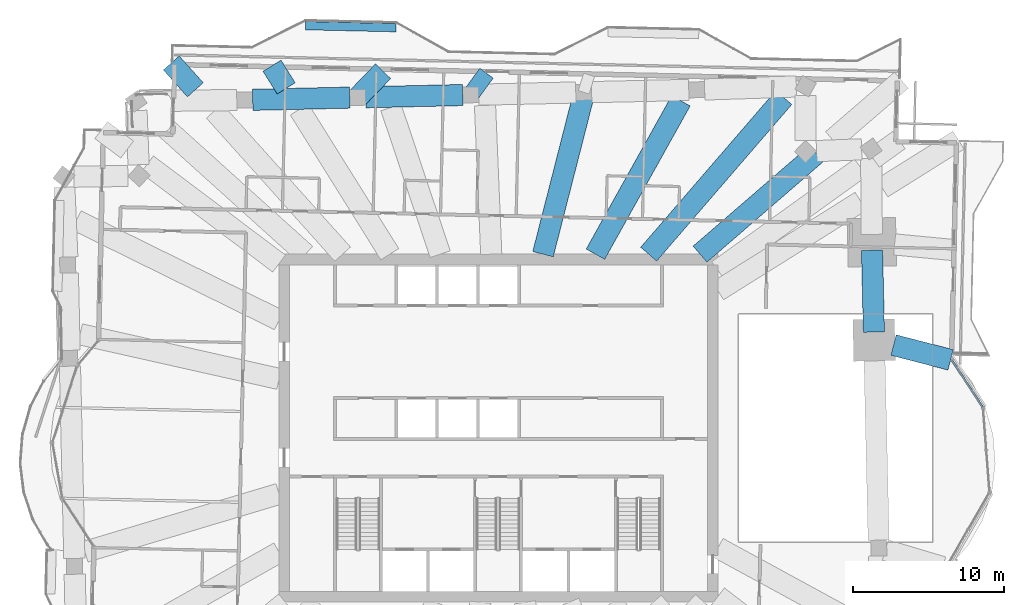
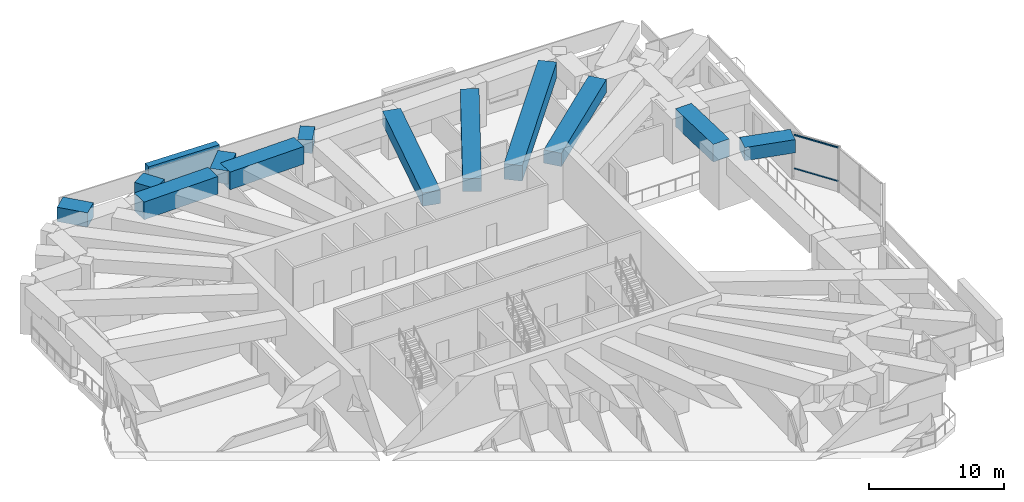
# One storey, part 6 of 20: 12 beams, 3 members, 1 element without a shape of its own.
"""IFC4 building model written with IfcOpenShell, lengths in metres."""

from ifc_helpers import new_model, si_unit, direction, frame, origin, origin_2d, place, context, subcontext, project, spatial, rectangle, extrude, material, material_profile, profile_set, type_object, element, aggregate, save


model = new_model("IFC4")

# Units and contexts
model_context = context("Model", 3, precision=1e-05, world=origin(), true_north=direction((0.0, 1.0)))
body_context = subcontext(model_context, "Body", "Model", "MODEL_VIEW")
ifc_project = project(units=[si_unit("LENGTHUNIT", "METRE"), si_unit("AREAUNIT", "SQUARE_METRE"), si_unit("VOLUMEUNIT", "CUBIC_METRE"), si_unit("PLANEANGLEUNIT", "RADIAN"), si_unit("MASSUNIT", "GRAM", prefix="KILO")], contexts=[model_context])

# Site, building, storey
site_placement = place(None, origin())
site = spatial("IfcSite", under=ifc_project, at=site_placement, CompositionType="ELEMENT")
building_placement = place(site_placement, origin())
building = spatial("IfcBuilding", under=site, at=building_placement, Name="Mangrove Gate Tower", CompositionType="ELEMENT")
storey_placement = place(building_placement, frame((0.0, 0.0, 252.699951171875)))
storey = spatial("IfcBuildingStorey", under=building, at=storey_placement, Name="L64", CompositionType="ELEMENT", Elevation=252.699951171875)

# Member
ifc_material_1 = material(Name="Planting on aluminium trellis", Category="aluminium")
ifc_material_profile_1 = material_profile(ifc_material_1, rectangle(XDim=0.550048828125, YDim=2.0, at=origin_2d()))
ifc_profile_set_1 = profile_set([ifc_material_profile_1], Name="Planting on aluminium trellis")
member_type_1 = type_object("IfcMemberType", Name="Balcony greenery screen 550x2000", PredefinedType="USERDEFINED", material=ifc_profile_set_1)
member_1_placement = place(storey_placement, frame((-12.762939453125, 26.597900390625, 1.800048828125), z_axis=(0.999743178102, -0.022662255828, 0.0), x_axis=(0.022662255828, 0.999743178102, 0.0)))
element("IfcMember", 1, at=member_1_placement, inside=storey, type_object=member_type_1, Name="GREEN SCREEN L64 N1.1", ObjectType="PLANTING", PredefinedType="USERDEFINED", context=body_context, shape_type="SweptSolid", body=[
    extrude(rectangle(XDim=0.550048828125, YDim=2.0, at=origin_2d()), origin(), (0.0, 0.0, 1.0), 6.00048828125),
])

# Curtain wall, members
ifc_material_2 = material(Name="Aluminium and glass curtain wall", Category="aluminium")
curtain_wall_type = type_object("IfcCurtainWallType", Name="Sky-lounge glazing wall", PredefinedType="NOTDEFINED", material=ifc_material_2)
curtain_wall_placement = place(storey_placement, origin())
curtain_wall = element("IfcCurtainWall", 2, at=curtain_wall_placement, inside=storey, type_object=curtain_wall_type, Name="Sky-lounge glazing E1f3", PredefinedType="NOTDEFINED")
ifc_material_3 = material(Name="Aluminium alloy 6063-T6", Category="aluminium")
ifc_material_profile_2 = material_profile(ifc_material_3, rectangle(XDim=0.06005859375, YDim=0.139892578125, at=origin_2d()))
ifc_profile_set_2 = profile_set([ifc_material_profile_2], Name="Aluminium alloy 6063-T6")
member_type_2 = type_object("IfcMemberType", Name="Sky-lounge glazing transom 60x140", PredefinedType="USERDEFINED", material=ifc_profile_set_2)
member_2_placement = place(storey_placement, frame((31.985107421875, 1.38330078125, 1.0), z_axis=(-0.546211360714, 0.837647389674, 0.0), x_axis=(0.0, 0.0, 1.0)))
member_2 = element("IfcMember", 3, at=member_2_placement, type_object=member_type_2, Name="CWK transom 1.2", ObjectType="TRANSOM", PredefinedType="USERDEFINED", context=body_context, shape_type="SweptSolid", body=[
    extrude(rectangle(XDim=0.06005859375, YDim=0.139892578125, at=origin_2d()), origin(), (0.0, 0.0, 1.0), 3.696044921875),
])
member_3_placement = place(storey_placement, frame((31.985107421875, 1.38330078125, 4.02001953125), z_axis=(-0.546211360714, 0.837647389674, 0.0), x_axis=(0.0, 0.0, 1.0)))
member_3 = element("IfcMember", 4, at=member_3_placement, type_object=member_type_2, Name="CWK transom 1.3", ObjectType="TRANSOM", PredefinedType="USERDEFINED", context=body_context, shape_type="SweptSolid", body=[
    extrude(rectangle(XDim=0.06005859375, YDim=0.139892578125, at=origin_2d()), origin(), (0.0, 0.0, 1.0), 3.696044921875),
])
aggregate(curtain_wall, [member_2, member_3])

# Beams
ifc_material_4 = material(Name="Concrete C60/75", Category="concrete")
ifc_material_profile_3 = material_profile(ifc_material_4, rectangle(XDim=1.10009765625, YDim=1.199951171875, at=origin_2d()))
ifc_profile_set_3 = profile_set([ifc_material_profile_3], Name="Concrete C60/75")
beam_type_1 = type_object("IfcBeamType", Name="Transfer girder RC 1100x1200 C60/75", PredefinedType="BEAM", material=ifc_profile_set_3)
beam_1_placement = place(storey_placement, frame((-1.837158203125, 22.026123046875, 3.449951171875), z_axis=(0.589072795668, 0.808079972158, 0.0), x_axis=(-0.808079972158, 0.589072795668, 0.0)))
element("IfcBeam", 5, at=beam_1_placement, inside=storey, type_object=beam_type_1, Name="Transfer edge girder L64 24", PredefinedType="BEAM", context=body_context, shape_type="SweptSolid", body=[
    extrude(rectangle(XDim=1.10009765625, YDim=1.199951171875, at=origin_2d()), origin(), (0.0, 0.0, 1.0), 1.771240234375),
])
ifc_material_5 = material(Name="Concrete C60/75", Category="concrete")
ifc_material_profile_4 = material_profile(ifc_material_5, rectangle(XDim=1.39990234375, YDim=1.199951171875, at=origin_2d()))
ifc_profile_set_4 = profile_set([ifc_material_profile_4], Name="Concrete C60/75")
beam_type_2 = type_object("IfcBeamType", Name="Transfer girder RC 1400x1200 C60/75", PredefinedType="BEAM", material=ifc_profile_set_4)
beam_2_placement = place(storey_placement, frame((26.102783203125, 5.4931640625, 3.449951171875), z_axis=(0.968123603668, -0.250472928717, 0.0), x_axis=(0.250472928717, 0.968123603668, 0.0)))
element("IfcBeam", 6, at=beam_2_placement, inside=storey, type_object=beam_type_2, Name="Transfer edge girder L64 16", PredefinedType="BEAM", context=body_context, shape_type="SweptSolid", body=[
    extrude(rectangle(XDim=1.39990234375, YDim=1.199951171875, at=origin_2d()), origin(), (0.0, 0.0, 1.0), 3.89697265625),
])
beam_3_placement = place(storey_placement, frame((13.3154296875, 11.5, 3.449951171875), z_axis=(0.756809513604, 0.653635494843, 0.0), x_axis=(-0.653635494843, 0.756809513604, 0.0)))
element("IfcBeam", 7, at=beam_3_placement, inside=storey, type_object=beam_type_2, Name="Transfer girder L64 20", PredefinedType="BEAM", context=body_context, shape_type="SweptSolid", body=[
    extrude(rectangle(XDim=1.39990234375, YDim=1.199951171875, at=origin_2d()), origin(), (0.0, 0.0, 1.0), 10.17041015625),
])
beam_4_placement = place(storey_placement, frame((6.4072265625, 11.5, 3.449951171875), z_axis=(0.486721890231, 0.87355698244, 0.0), x_axis=(-0.87355698244, 0.486721890231, 0.0)))
element("IfcBeam", 8, at=beam_4_placement, inside=storey, type_object=beam_type_2, Name="Transfer girder L64 22", PredefinedType="BEAM", context=body_context, shape_type="SweptSolid", body=[
    extrude(rectangle(XDim=1.39990234375, YDim=1.199951171875, at=origin_2d()), origin(), (0.0, 0.0, 1.0), 11.60009765625),
])
beam_5_placement = place(storey_placement, frame((2.940185546875, 11.5, 3.449951171875), z_axis=(0.247714509169, 0.968833072282, 0.0), x_axis=(-0.968833072282, 0.247714509169, 0.0)))
element("IfcBeam", 9, at=beam_5_placement, inside=storey, type_object=beam_type_2, Name="Transfer girder L64 23", PredefinedType="BEAM", context=body_context, shape_type="SweptSolid", body=[
    extrude(rectangle(XDim=1.39990234375, YDim=1.199951171875, at=origin_2d()), origin(), (0.0, 0.0, 1.0), 11.040283203125),
])
beam_6_placement = place(storey_placement, frame((-14.031494140625, 22.454345703125, 3.449951171875), z_axis=(-0.529961616168, 0.84802163026, 0.0), x_axis=(-0.84802163026, -0.529961616168, 0.0)))
element("IfcBeam", 10, at=beam_6_placement, inside=storey, type_object=beam_type_2, Name="Transfer cantilever girder L64 26", PredefinedType="BEAM", context=body_context, shape_type="SweptSolid", body=[
    extrude(rectangle(XDim=1.39990234375, YDim=1.199951171875, at=origin_2d()), origin(), (0.0, 0.0, 1.0), 1.763916015625),
])
beam_7_placement = place(storey_placement, frame((-9.302978515625, 21.856201171875, 3.449951171875), z_axis=(0.695762523988, 0.718271891566, 0.0), x_axis=(-0.718271891566, 0.695762523988, 0.0)))
element("IfcBeam", 11, at=beam_7_placement, inside=storey, type_object=beam_type_2, Name="Transfer edge girder L64 25", PredefinedType="BEAM", context=body_context, shape_type="SweptSolid", body=[
    extrude(rectangle(XDim=1.39990234375, YDim=1.199951171875, at=origin_2d()), origin(), (0.0, 0.0, 1.0), 2.407958984375),
])
ifc_material_6 = material(Name="Concrete C60/75", Category="concrete")
ifc_material_profile_5 = material_profile(ifc_material_6, rectangle(XDim=1.39990234375, YDim=1.300048828125, at=origin_2d()))
ifc_profile_set_5 = profile_set([ifc_material_profile_5], Name="Concrete C60/75")
beam_type_3 = type_object("IfcBeamType", Name="Transfer girder RC 1400x1300 C60/75", PredefinedType="BEAM", material=ifc_profile_set_5)
beam_8_placement = place(storey_placement, frame((-20.032470703125, 22.35986328125, 3.400146484375), z_axis=(-0.667274400264, 0.744811972751, 0.0), x_axis=(-0.744811972751, -0.667274400264, 0.0)))
element("IfcBeam", 12, at=beam_8_placement, inside=storey, type_object=beam_type_3, Name="Transfer cantilever girder L64 27", PredefinedType="BEAM", context=body_context, shape_type="SweptSolid", body=[
    extrude(rectangle(XDim=1.39990234375, YDim=1.300048828125, at=origin_2d()), origin(), (0.0, 0.0, 1.0), 2.38037109375),
])
ifc_material_7 = material(Name="Concrete C60/75", Category="concrete")
ifc_material_profile_6 = material_profile(ifc_material_7, rectangle(XDim=1.39990234375, YDim=1.39990234375, at=origin_2d()))
ifc_profile_set_6 = profile_set([ifc_material_profile_6], Name="Concrete C60/75")
beam_type_4 = type_object("IfcBeamType", Name="Transfer girder RC 1400x1400 C60/75", PredefinedType="BEAM", material=ifc_profile_set_6)
beam_9_placement = place(storey_placement, frame((9.92236328125, 11.5, 3.35009765625), z_axis=(0.653265385891, 0.757129008555, 0.0), x_axis=(-0.757129008555, 0.653265385891, 0.0)))
element("IfcBeam", 13, at=beam_9_placement, inside=storey, type_object=beam_type_4, Name="Transfer girder L64 21", PredefinedType="BEAM", context=body_context, shape_type="SweptSolid", body=[
    extrude(rectangle(XDim=1.39990234375, YDim=1.39990234375, at=origin_2d()), origin(), (0.0, 0.0, 1.0), 13.666259765625),
])
ifc_material_8 = material(Name="Concrete C60/75", Category="concrete")
ifc_material_profile_7 = material_profile(ifc_material_8, rectangle(XDim=1.39990234375, YDim=1.60009765625, at=origin_2d()))
ifc_profile_set_7 = profile_set([ifc_material_profile_7], Name="Concrete C60/75")
beam_type_5 = type_object("IfcBeamType", Name="Transfer girder RC 1400x1600 C60/75", PredefinedType="BEAM", material=ifc_profile_set_7)
beam_10_placement = place(storey_placement, frame((24.80419921875, 6.350830078125, 3.25), z_axis=(-0.022732675659, 0.999741579338, 0.0), x_axis=(-0.999741579338, -0.022732675659, 0.0)))
element("IfcBeam", 14, at=beam_10_placement, inside=storey, type_object=beam_type_5, Name="Transfer ring girder L64 15", PredefinedType="BEAM", context=body_context, shape_type="SweptSolid", body=[
    extrude(rectangle(XDim=1.39990234375, YDim=1.60009765625, at=origin_2d()), origin(), (0.0, 0.0, 1.0), 5.412841796875),
])
for number, where, z_axis, x_axis, name in (
    (15, (-2.362060546875, 22.01416015625, 3.25), (-0.999741226382, -0.022748192739, 0.0), (0.022748192739, -0.999741226382, 0.0), "Transfer ring girder L64 22"),
    (16, (-9.827880859375, 21.84423828125, 3.25), (-0.999743815265, -0.022634129983, 0.0), (0.022634129983, -0.999743815265, 0.0), "Transfer ring girder L64 23"),
):
    element("IfcBeam", number, at=place(storey_placement, frame(where, z_axis=z_axis, x_axis=x_axis)), inside=storey, type_object=beam_type_5, Name=name, PredefinedType="BEAM", context=body_context, shape_type="SweptSolid", body=[
        extrude(rectangle(XDim=1.39990234375, YDim=1.60009765625, at=origin_2d()), origin(), (0.0, 0.0, 1.0), 6.41796875),
    ])

save(model, "model.ifc")
